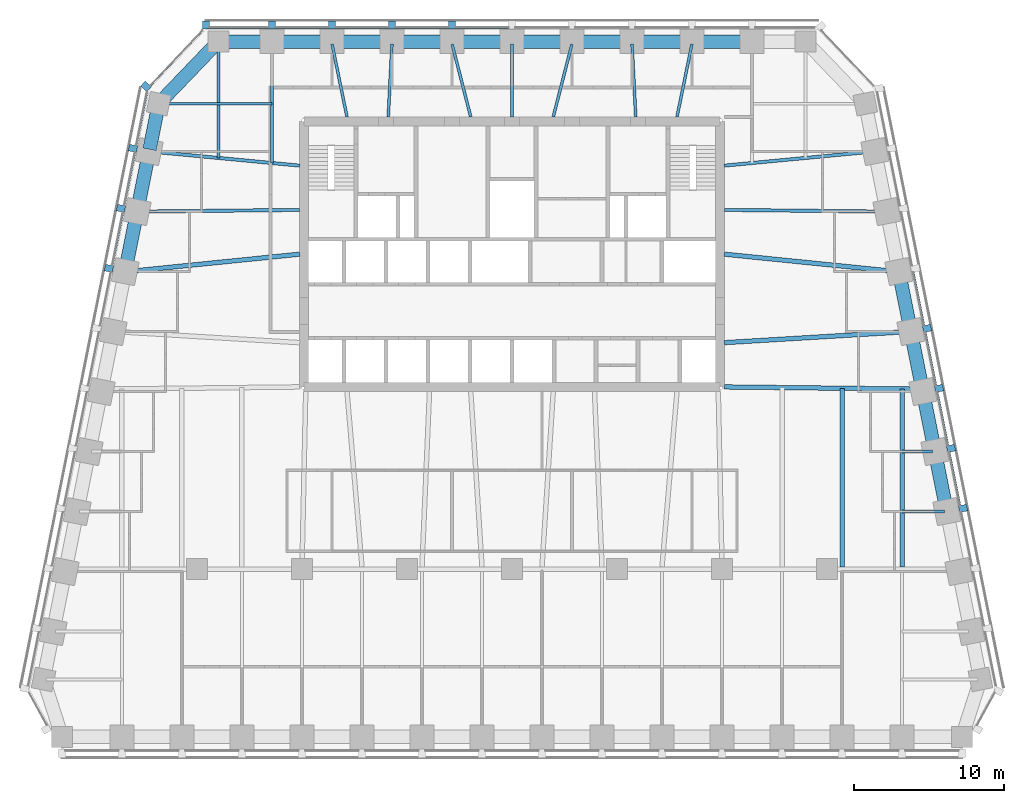
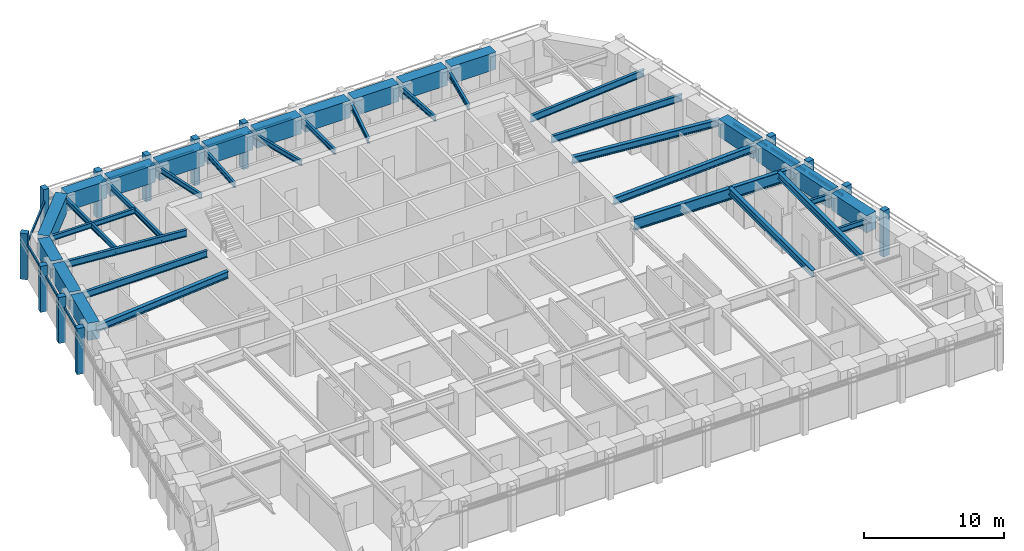
# One storey, part 3 of 11: 39 beams, 26 members, 4 elements without a shape of their own.
"""IFC4 building model written with IfcOpenShell, lengths in metres."""

from ifc_helpers import new_model, si_unit, direction, frame, origin, origin_2d, place, context, subcontext, project, spatial, rectangle, i_section, extrude, material, material_profile, profile_set, type_object, element, aggregate, save


model = new_model("IFC4")

# Units and contexts
model_context = context("Model", 3, precision=1e-05, world=origin(), true_north=direction((0.0, 1.0)))
body_context = subcontext(model_context, "Body", "Model", "MODEL_VIEW")
ifc_project = project(units=[si_unit("LENGTHUNIT", "METRE"), si_unit("AREAUNIT", "SQUARE_METRE"), si_unit("VOLUMEUNIT", "CUBIC_METRE"), si_unit("PLANEANGLEUNIT", "RADIAN"), si_unit("MASSUNIT", "GRAM", prefix="KILO")], contexts=[model_context])

# Site, building, storey
site_placement = place(None, origin())
site = spatial("IfcSite", under=ifc_project, at=site_placement, CompositionType="ELEMENT")
building_placement = place(site_placement, origin())
building = spatial("IfcBuilding", under=site, at=building_placement, Name="Isbrekke Arena Tower", CompositionType="ELEMENT")
storey_placement = place(building_placement, frame((0.0, 0.0, 206.0)))
storey = spatial("IfcBuildingStorey", under=building, at=storey_placement, Name="L47", CompositionType="ELEMENT", Elevation=206.0)

# Beams
ifc_material_1 = material(Name="Steel S355", Category="steel")
ifc_material_profile_1 = material_profile(ifc_material_1, i_section(OverallWidth=0.219970703125, OverallDepth=0.60009765625, WebThickness=0.011962890625, FlangeThickness=0.01904296875, FilletRadius=0.02392578125, at=origin_2d()), Name="IPE 600")
ifc_profile_set_1 = profile_set([ifc_material_profile_1], Name="Steel S355")
beam_type_1 = type_object("IfcBeamType", Name="B1 IPE 600", PredefinedType="BEAM", material=ifc_profile_set_1)
beam_1_placement = place(storey_placement, frame((24.83984375, 17.838134765625, 3.550048828125), z_axis=(-0.999945299061, 0.010459392202, 0.0), x_axis=(-0.010459392202, -0.999945299061, 0.0)))
element("IfcBeam", 1, at=beam_1_placement, inside=storey, type_object=beam_type_1, Name="B1 beam E-E09 L47", PredefinedType="BEAM", context=body_context, shape_type="SweptSolid", body=[
    extrude(i_section(OverallWidth=0.219970703125, OverallDepth=0.60009765625, WebThickness=0.011962890625, FlangeThickness=0.01904296875, FilletRadius=0.02392578125, at=origin_2d()), origin(), (0.0, 0.0, 1.0), 10.6904296875),
])
for number, where, z_axis, x_axis, name in (
    (2, (24.03076171875, 21.837158203125, 3.550048828125), (-0.99553133081, -0.094431823952, 0.0), (0.094431823952, -0.99553133081, 0.0), "B1 beam E-E10 L47"),
    (3, (-24.03076171875, 21.837158203125, 3.550048828125), (0.99553133081, -0.094431823952, 0.0), (0.094431823952, 0.99553133081, 0.0), "B1 beam E-W02 L47"),
):
    element("IfcBeam", number, at=place(storey_placement, frame(where, z_axis=z_axis, x_axis=x_axis)), inside=storey, type_object=beam_type_1, Name=name, PredefinedType="BEAM", context=body_context, shape_type="SweptSolid", body=[
        extrude(i_section(OverallWidth=0.219970703125, OverallDepth=0.60009765625, WebThickness=0.011962890625, FlangeThickness=0.01904296875, FilletRadius=0.02392578125, at=origin_2d()), origin(), (0.0, 0.0, 1.0), 9.92529296875),
    ])
beam_2_placement = place(storey_placement, frame((-24.83984375, 17.838134765625, 3.550048828125), z_axis=(0.999945299061, 0.010459392202, 0.0), x_axis=(-0.010459392202, 0.999945299061, 0.0)))
element("IfcBeam", 4, at=beam_2_placement, inside=storey, type_object=beam_type_1, Name="B1 beam E-W03 L47", PredefinedType="BEAM", context=body_context, shape_type="SweptSolid", body=[
    extrude(i_section(OverallWidth=0.219970703125, OverallDepth=0.60009765625, WebThickness=0.011962890625, FlangeThickness=0.01904296875, FilletRadius=0.02392578125, at=origin_2d()), origin(), (0.0, 0.0, 1.0), 10.6904296875),
])
ifc_material_2 = material(Name="Steel S355", Category="steel")
ifc_material_profile_2 = material_profile(ifc_material_2, i_section(OverallWidth=0.18994140625, OverallDepth=0.449951171875, WebThickness=0.009521484375, FlangeThickness=0.0146484375, FilletRadius=0.02099609375, at=origin_2d()), Name="IPE 450")
ifc_profile_set_2 = profile_set([ifc_material_profile_2], Name="Steel S355")
beam_type_2 = type_object("IfcBeamType", Name="B2 IPE 450", PredefinedType="BEAM", material=ifc_profile_set_2)
beam_3_placement = place(storey_placement, frame((28.841064453125, -2.161865234375, 3.625), z_axis=(-1.0, 0.0, 0.0), x_axis=(0.0, -1.0, 0.0)))
element("IfcBeam", 5, at=beam_3_placement, inside=storey, type_object=beam_type_2, Name="B2 beam E-E04 L47", PredefinedType="BEAM", context=body_context, shape_type="SweptSolid", body=[
    extrude(i_section(OverallWidth=0.18994140625, OverallDepth=0.449951171875, WebThickness=0.009521484375, FlangeThickness=0.0146484375, FilletRadius=0.02099609375, at=origin_2d()), origin(), (0.0, 0.0, 1.0), 2.841064453125),
])
beam_4_placement = place(storey_placement, frame((28.041015625, 1.838134765625, 3.625), z_axis=(-1.0, 0.0, 0.0), x_axis=(0.0, -1.0, 0.0)))
element("IfcBeam", 6, at=beam_4_placement, inside=storey, type_object=beam_type_2, Name="B2 beam E-E05 L47", PredefinedType="BEAM", context=body_context, shape_type="SweptSolid", body=[
    extrude(i_section(OverallWidth=0.18994140625, OverallDepth=0.449951171875, WebThickness=0.009521484375, FlangeThickness=0.0146484375, FilletRadius=0.02099609375, at=origin_2d()), origin(), (0.0, 0.0, 1.0), 2.041015625),
])
beam_5_placement = place(storey_placement, frame((-23.40283203125, 25.029296875, 3.625), z_axis=(1.0, 0.0, 0.0), x_axis=(0.0, 1.0, 0.0)))
element("IfcBeam", 7, at=beam_5_placement, inside=storey, type_object=beam_type_2, Name="B2 beam E-W01 L47", PredefinedType="BEAM", context=body_context, shape_type="SweptSolid", body=[
    extrude(i_section(OverallWidth=0.18994140625, OverallDepth=0.449951171875, WebThickness=0.009521484375, FlangeThickness=0.0146484375, FilletRadius=0.02099609375, at=origin_2d()), origin(), (0.0, 0.0, 1.0), 7.40283203125),
])
ifc_material_3 = material(Name="Steel S355", Category="steel")
ifc_material_profile_3 = material_profile(ifc_material_3, i_section(OverallWidth=0.18994140625, OverallDepth=0.449951171875, WebThickness=0.009521484375, FlangeThickness=0.0146484375, FilletRadius=0.02099609375, at=origin_2d()), Name="IPE 450")
ifc_profile_set_3 = profile_set([ifc_material_profile_3], Name="Steel S355")
beam_type_3 = type_object("IfcBeamType", Name="B3 IPE 450", PredefinedType="BEAM", material=ifc_profile_set_3)
beam_6_placement = place(storey_placement, frame((-16.0, 29.02490234375, 3.625), z_axis=(0.0, -1.0, 0.0), x_axis=(1.0, 0.0, 0.0)))
element("IfcBeam", 8, at=beam_6_placement, inside=storey, type_object=beam_type_3, Name="B3 beam N-N10 L47", PredefinedType="BEAM", context=body_context, shape_type="SweptSolid", body=[
    extrude(i_section(OverallWidth=0.18994140625, OverallDepth=0.449951171875, WebThickness=0.009521484375, FlangeThickness=0.0146484375, FilletRadius=0.02099609375, at=origin_2d()), origin(), (0.0, 0.0, 1.0), 7.949462890625),
])
beam_7_placement = place(storey_placement, frame((-19.574951171875, 29.02490234375, 3.625), z_axis=(0.0, -1.0, 0.0), x_axis=(1.0, 0.0, 0.0)))
element("IfcBeam", 9, at=beam_7_placement, inside=storey, type_object=beam_type_3, Name="B3 beam N-N11 L47", PredefinedType="BEAM", context=body_context, shape_type="SweptSolid", body=[
    extrude(i_section(OverallWidth=0.18994140625, OverallDepth=0.449951171875, WebThickness=0.009521484375, FlangeThickness=0.0146484375, FilletRadius=0.02099609375, at=origin_2d()), origin(), (0.0, 0.0, 1.0), 7.6103515625),
])
beam_8_placement = place(storey_placement, frame((11.99609375, 29.00634765625, 3.625), z_axis=(-0.200924755878, -0.979606677435, 0.0), x_axis=(0.979606677435, -0.200924755878, 0.0)))
element("IfcBeam", 10, at=beam_8_placement, inside=storey, type_object=beam_type_3, Name="B3 beam N-N03 L47", PredefinedType="BEAM", context=body_context, shape_type="SweptSolid", body=[
    extrude(i_section(OverallWidth=0.18994140625, OverallDepth=0.449951171875, WebThickness=0.009521484375, FlangeThickness=0.0146484375, FilletRadius=0.02099609375, at=origin_2d()), origin(), (0.0, 0.0, 1.0), 4.95751953125),
])
beam_9_placement = place(storey_placement, frame((8.000244140625, 29.02001953125, 3.625), z_axis=(0.051216032312, -0.998687597817, 0.0), x_axis=(0.998687597817, 0.051216032312, 0.0)))
element("IfcBeam", 11, at=beam_9_placement, inside=storey, type_object=beam_type_3, Name="B3 beam N-N04 L47", PredefinedType="BEAM", context=body_context, shape_type="SweptSolid", body=[
    extrude(i_section(OverallWidth=0.18994140625, OverallDepth=0.449951171875, WebThickness=0.009521484375, FlangeThickness=0.0146484375, FilletRadius=0.02099609375, at=origin_2d()), origin(), (0.0, 0.0, 1.0), 4.87646484375),
])
beam_10_placement = place(storey_placement, frame((3.994140625, 29.002197265625, 3.625), z_axis=(-0.248368314686, -0.968665670012, 0.0), x_axis=(0.968665670012, -0.248368314686, 0.0)))
element("IfcBeam", 12, at=beam_10_placement, inside=storey, type_object=beam_type_3, Name="B3 beam N-N05 L47", PredefinedType="BEAM", context=body_context, shape_type="SweptSolid", body=[
    extrude(i_section(OverallWidth=0.18994140625, OverallDepth=0.449951171875, WebThickness=0.009521484375, FlangeThickness=0.0146484375, FilletRadius=0.02099609375, at=origin_2d()), origin(), (0.0, 0.0, 1.0), 5.00927734375),
])
beam_11_placement = place(storey_placement, frame((0.0, 29.02490234375, 3.625), z_axis=(0.0, -1.0, 0.0), x_axis=(1.0, 0.0, 0.0)))
element("IfcBeam", 13, at=beam_11_placement, inside=storey, type_object=beam_type_3, Name="B3 beam N-N06 L47", PredefinedType="BEAM", context=body_context, shape_type="SweptSolid", body=[
    extrude(i_section(OverallWidth=0.18994140625, OverallDepth=0.449951171875, WebThickness=0.009521484375, FlangeThickness=0.0146484375, FilletRadius=0.02099609375, at=origin_2d()), origin(), (0.0, 0.0, 1.0), 4.875),
])
beam_12_placement = place(storey_placement, frame((-3.994140625, 29.002197265625, 3.625), z_axis=(0.248368314686, -0.968665670012, 0.0), x_axis=(0.968665670012, 0.248368314686, 0.0)))
element("IfcBeam", 14, at=beam_12_placement, inside=storey, type_object=beam_type_3, Name="B3 beam N-N07 L47", PredefinedType="BEAM", context=body_context, shape_type="SweptSolid", body=[
    extrude(i_section(OverallWidth=0.18994140625, OverallDepth=0.449951171875, WebThickness=0.009521484375, FlangeThickness=0.0146484375, FilletRadius=0.02099609375, at=origin_2d()), origin(), (0.0, 0.0, 1.0), 5.00927734375),
])
beam_13_placement = place(storey_placement, frame((-8.000244140625, 29.02001953125, 3.625), z_axis=(-0.051216032312, -0.998687597817, 0.0), x_axis=(0.998687597817, -0.051216032312, 0.0)))
element("IfcBeam", 15, at=beam_13_placement, inside=storey, type_object=beam_type_3, Name="B3 beam N-N08 L47", PredefinedType="BEAM", context=body_context, shape_type="SweptSolid", body=[
    extrude(i_section(OverallWidth=0.18994140625, OverallDepth=0.449951171875, WebThickness=0.009521484375, FlangeThickness=0.0146484375, FilletRadius=0.02099609375, at=origin_2d()), origin(), (0.0, 0.0, 1.0), 4.87646484375),
])
beam_14_placement = place(storey_placement, frame((-11.99609375, 29.00634765625, 3.625), z_axis=(0.200924755878, -0.979606677435, 0.0), x_axis=(0.979606677435, 0.200924755878, 0.0)))
element("IfcBeam", 16, at=beam_14_placement, inside=storey, type_object=beam_type_3, Name="B3 beam N-N09 L47", PredefinedType="BEAM", context=body_context, shape_type="SweptSolid", body=[
    extrude(i_section(OverallWidth=0.18994140625, OverallDepth=0.449951171875, WebThickness=0.009521484375, FlangeThickness=0.0146484375, FilletRadius=0.02099609375, at=origin_2d()), origin(), (0.0, 0.0, 1.0), 4.95751953125),
])
ifc_material_4 = material(Name="Steel S355", Category="steel")
ifc_material_profile_4 = material_profile(ifc_material_4, i_section(OverallWidth=0.300048828125, OverallDepth=0.60009765625, WebThickness=0.015380859375, FlangeThickness=0.030029296875, FilletRadius=0.027099609375, at=origin_2d()), Name="HEB 600")
ifc_profile_set_4 = profile_set([ifc_material_profile_4], Name="Steel S355")
beam_type_4 = type_object("IfcBeamType", Name="B7 HEB 600", PredefinedType="BEAM", material=ifc_profile_set_4)
beam_15_placement = place(storey_placement, frame((22.0, -5.84912109375, 3.550048828125), z_axis=(0.0, 1.0, 0.0), x_axis=(-1.0, 0.0, 0.0)))
element("IfcBeam", 17, at=beam_15_placement, inside=storey, type_object=beam_type_4, Name="B7 beam C-M13 L47", PredefinedType="BEAM", context=body_context, shape_type="SweptSolid", body=[
    extrude(i_section(OverallWidth=0.300048828125, OverallDepth=0.60009765625, WebThickness=0.015380859375, FlangeThickness=0.030029296875, FilletRadius=0.027099609375, at=origin_2d()), origin(), (0.0, 0.0, 1.0), 11.91015625),
])
beam_16_placement = place(storey_placement, frame((26.0, -5.84912109375, 3.550048828125), z_axis=(0.0, 1.0, 0.0), x_axis=(-1.0, 0.0, 0.0)))
element("IfcBeam", 18, at=beam_16_placement, inside=storey, type_object=beam_type_4, Name="B7 beam C-M14 L47", PredefinedType="BEAM", context=body_context, shape_type="SweptSolid", body=[
    extrude(i_section(OverallWidth=0.300048828125, OverallDepth=0.60009765625, WebThickness=0.015380859375, FlangeThickness=0.030029296875, FilletRadius=0.027099609375, at=origin_2d()), origin(), (0.0, 0.0, 1.0), 11.864990234375),
])
beam_17_placement = place(storey_placement, frame((26.43212890625, 9.837646484375, 3.550048828125), z_axis=(-0.998201854902, -0.059942112659, 0.0), x_axis=(0.059942112659, -0.998201854902, 0.0)))
element("IfcBeam", 19, at=beam_17_placement, inside=storey, type_object=beam_type_4, Name="B7 beam E-E07 L47", PredefinedType="BEAM", context=body_context, shape_type="SweptSolid", body=[
    extrude(i_section(OverallWidth=0.300048828125, OverallDepth=0.60009765625, WebThickness=0.015380859375, FlangeThickness=0.030029296875, FilletRadius=0.027099609375, at=origin_2d()), origin(), (0.0, 0.0, 1.0), 12.304443359375),
])
for number, where, z_axis, x_axis, name in (
    (20, (25.6259765625, 13.83984375, 3.550048828125), (-0.994928891111, 0.100580821396, 0.0), (-0.100580821396, -0.994928891111, 0.0), "B7 beam E-E08 L47"),
    (21, (-25.6259765625, 13.83984375, 3.550048828125), (0.994928891111, 0.100580821396, 0.0), (-0.100580821396, 0.994928891111, 0.0), "B7 beam E-W04 L47"),
):
    element("IfcBeam", number, at=place(storey_placement, frame(where, z_axis=z_axis, x_axis=x_axis)), inside=storey, type_object=beam_type_4, Name=name, PredefinedType="BEAM", context=body_context, shape_type="SweptSolid", body=[
        extrude(i_section(OverallWidth=0.300048828125, OverallDepth=0.60009765625, WebThickness=0.015380859375, FlangeThickness=0.030029296875, FilletRadius=0.027099609375, at=origin_2d()), origin(), (0.0, 0.0, 1.0), 11.53466796875),
    ])

# Curtain wall, members
ifc_material_5 = material(Name="Glazed aluminium curtain wall", Category="aluminium")
curtain_wall_type = type_object("IfcCurtainWallType", Name="CWH TOWER CURTAIN WALL HIGH ZONE", PredefinedType="USERDEFINED", material=ifc_material_5)
curtain_wall_1_placement = place(storey_placement, origin())
curtain_wall_1 = element("IfcCurtainWall", 22, at=curtain_wall_1_placement, inside=storey, type_object=curtain_wall_type, Name="CWH curtain wall L47-E", ObjectType="TOWER CURTAIN WALL HIGH ZONE", PredefinedType="USERDEFINED")
ifc_material_6 = material(Name="Aluminium mullion, pale brick slip cladding", Category="masonry")
ifc_material_profile_5 = material_profile(ifc_material_6, rectangle(XDim=0.449951171875, YDim=0.550048828125, at=origin_2d()), Name="PIER 450X550")
ifc_profile_set_5 = profile_set([ifc_material_profile_5], Name="Aluminium mullion, pale brick slip cladding")
member_type_1 = type_object("IfcMemberType", Name="CWH-M PIER MULLION 450 x 550", PredefinedType="MULLION", material=ifc_profile_set_5)
member_1_placement = place(storey_placement, frame((30.069580078125, -1.946044921875, 0.0), z_axis=(0.0, 0.0, 1.0), x_axis=(-0.196116135138, 0.980580675691, 0.0)))
member_1 = element("IfcMember", 23, at=member_1_placement, type_object=member_type_1, Name="CWH-M mullion 3", PredefinedType="MULLION", context=body_context, shape_type="SweptSolid", body=[
    extrude(rectangle(XDim=0.449951171875, YDim=0.550048828125, at=origin_2d()), origin(), (0.0, 0.0, 1.0), 4.0),
])
member_2_placement = place(storey_placement, frame((29.269775390625, 2.053955078125, 0.0), z_axis=(0.0, 0.0, 1.0), x_axis=(-0.196116135138, 0.980580675691, 0.0)))
member_2 = element("IfcMember", 24, at=member_2_placement, type_object=member_type_1, Name="CWH-M mullion 4", PredefinedType="MULLION", context=body_context, shape_type="SweptSolid", body=[
    extrude(rectangle(XDim=0.449951171875, YDim=0.550048828125, at=origin_2d()), origin(), (0.0, 0.0, 1.0), 4.0),
])
member_3_placement = place(storey_placement, frame((28.4697265625, 6.053955078125, 0.0), z_axis=(0.0, 0.0, 1.0), x_axis=(-0.196116135138, 0.980580675691, 0.0)))
member_3 = element("IfcMember", 25, at=member_3_placement, type_object=member_type_1, Name="CWH-M mullion 5", PredefinedType="MULLION", context=body_context, shape_type="SweptSolid", body=[
    extrude(rectangle(XDim=0.449951171875, YDim=0.550048828125, at=origin_2d()), origin(), (0.0, 0.0, 1.0), 4.0),
])
member_4_placement = place(storey_placement, frame((27.669677734375, 10.053955078125, 0.0), z_axis=(0.0, 0.0, 1.0), x_axis=(-0.196116135138, 0.980580675691, 0.0)))
member_4 = element("IfcMember", 26, at=member_4_placement, type_object=member_type_1, Name="CWH-M mullion 6", PredefinedType="MULLION", context=body_context, shape_type="SweptSolid", body=[
    extrude(rectangle(XDim=0.449951171875, YDim=0.550048828125, at=origin_2d()), origin(), (0.0, 0.0, 1.0), 4.0),
])

curtain_wall_2_placement = place(storey_placement, origin())
curtain_wall_2 = element("IfcCurtainWall", 27, at=curtain_wall_2_placement, inside=storey, type_object=curtain_wall_type, Name="CWH curtain wall L47-N", ObjectType="TOWER CURTAIN WALL HIGH ZONE", PredefinedType="USERDEFINED")
member_5_placement = place(storey_placement, frame((-4.0, 30.27490234375, 0.0), z_axis=(0.0, 0.0, 1.0), x_axis=(-1.0, 0.0, 0.0)))
member_5 = element("IfcMember", 28, at=member_5_placement, type_object=member_type_1, Name="CWH-M mullion 6", PredefinedType="MULLION", context=body_context, shape_type="SweptSolid", body=[
    extrude(rectangle(XDim=0.449951171875, YDim=0.550048828125, at=origin_2d()), origin(), (0.0, 0.0, 1.0), 4.0),
])
member_6_placement = place(storey_placement, frame((-8.0, 30.27490234375, 0.0), z_axis=(0.0, 0.0, 1.0), x_axis=(-1.0, 0.0, 0.0)))
member_6 = element("IfcMember", 29, at=member_6_placement, type_object=member_type_1, Name="CWH-M mullion 7", PredefinedType="MULLION", context=body_context, shape_type="SweptSolid", body=[
    extrude(rectangle(XDim=0.449951171875, YDim=0.550048828125, at=origin_2d()), origin(), (0.0, 0.0, 1.0), 4.0),
])
member_7_placement = place(storey_placement, frame((-12.0, 30.27490234375, 0.0), z_axis=(0.0, 0.0, 1.0), x_axis=(-1.0, 0.0, 0.0)))
member_7 = element("IfcMember", 30, at=member_7_placement, type_object=member_type_1, Name="CWH-M mullion 8", PredefinedType="MULLION", context=body_context, shape_type="SweptSolid", body=[
    extrude(rectangle(XDim=0.449951171875, YDim=0.550048828125, at=origin_2d()), origin(), (0.0, 0.0, 1.0), 4.0),
])
member_8_placement = place(storey_placement, frame((-16.0, 30.27490234375, 0.0), z_axis=(0.0, 0.0, 1.0), x_axis=(-1.0, 0.0, 0.0)))
member_8 = element("IfcMember", 31, at=member_8_placement, type_object=member_type_1, Name="CWH-M mullion 9", PredefinedType="MULLION", context=body_context, shape_type="SweptSolid", body=[
    extrude(rectangle(XDim=0.449951171875, YDim=0.550048828125, at=origin_2d()), origin(), (0.0, 0.0, 1.0), 4.0),
])
member_9_placement = place(storey_placement, frame((-20.39990234375, 30.27490234375, 0.0), z_axis=(0.0, 0.0, 1.0), x_axis=(-1.0, 0.0, 0.0)))
member_9 = element("IfcMember", 32, at=member_9_placement, type_object=member_type_1, Name="CWH-M mullion 10", PredefinedType="MULLION", context=body_context, shape_type="SweptSolid", body=[
    extrude(rectangle(XDim=0.449951171875, YDim=0.550048828125, at=origin_2d()), origin(), (0.0, 0.0, 1.0), 4.0),
])

# Curtain wall, member
curtain_wall_3_placement = place(storey_placement, origin())
curtain_wall_3 = element("IfcCurtainWall", 33, at=curtain_wall_3_placement, inside=storey, type_object=curtain_wall_type, Name="CWH curtain wall L47-NW", ObjectType="TOWER CURTAIN WALL HIGH ZONE", PredefinedType="USERDEFINED")
member_10_placement = place(storey_placement, frame((-24.3994140625, 26.189453125, 0.0), z_axis=(0.0, 0.0, 1.0), x_axis=(-0.68874946192, -0.72499943359, 0.0)))
member_10 = element("IfcMember", 34, at=member_10_placement, type_object=member_type_1, Name="CWH-M mullion 1", PredefinedType="MULLION", context=body_context, shape_type="SweptSolid", body=[
    extrude(rectangle(XDim=0.449951171875, YDim=0.550048828125, at=origin_2d()), origin(), (0.0, 0.0, 1.0), 4.0),
])

# Curtain wall, members
curtain_wall_4_placement = place(storey_placement, origin())
curtain_wall_4 = element("IfcCurtainWall", 35, at=curtain_wall_4_placement, inside=storey, type_object=curtain_wall_type, Name="CWH curtain wall L47-W", ObjectType="TOWER CURTAIN WALL HIGH ZONE", PredefinedType="USERDEFINED")
member_11_placement = place(storey_placement, frame((-25.269775390625, 22.053955078125, 0.0), z_axis=(0.0, 0.0, 1.0), x_axis=(-0.196116135138, -0.980580675691, 0.0)))
member_11 = element("IfcMember", 36, at=member_11_placement, type_object=member_type_1, Name="CWH-M mullion 1", PredefinedType="MULLION", context=body_context, shape_type="SweptSolid", body=[
    extrude(rectangle(XDim=0.449951171875, YDim=0.550048828125, at=origin_2d()), origin(), (0.0, 0.0, 1.0), 4.0),
])
member_12_placement = place(storey_placement, frame((-26.069580078125, 18.053955078125, 0.0), z_axis=(0.0, 0.0, 1.0), x_axis=(-0.196116135138, -0.980580675691, 0.0)))
member_12 = element("IfcMember", 37, at=member_12_placement, type_object=member_type_1, Name="CWH-M mullion 2", PredefinedType="MULLION", context=body_context, shape_type="SweptSolid", body=[
    extrude(rectangle(XDim=0.449951171875, YDim=0.550048828125, at=origin_2d()), origin(), (0.0, 0.0, 1.0), 4.0),
])
member_13_placement = place(storey_placement, frame((-26.86962890625, 14.053955078125, 0.0), z_axis=(0.0, 0.0, 1.0), x_axis=(-0.196116135138, -0.980580675691, 0.0)))
member_13 = element("IfcMember", 38, at=member_13_placement, type_object=member_type_1, Name="CWH-M mullion 3", PredefinedType="MULLION", context=body_context, shape_type="SweptSolid", body=[
    extrude(rectangle(XDim=0.449951171875, YDim=0.550048828125, at=origin_2d()), origin(), (0.0, 0.0, 1.0), 4.0),
])

# Member
ifc_material_7 = material(Name="Aluminium transom", Category="aluminium")
ifc_material_profile_6 = material_profile(ifc_material_7, rectangle(XDim=0.1201171875, YDim=0.199951171875, at=origin_2d()), Name="TRANSOM 120X200")
ifc_profile_set_6 = profile_set([ifc_material_profile_6], Name="Aluminium transom")
member_type_2 = type_object("IfcMemberType", Name="CWH-T TRANSOM 120 x 200", PredefinedType="USERDEFINED", material=ifc_profile_set_6)
member_14_placement = place(storey_placement, frame((29.85400390625, -1.759765625, 3.0), z_axis=(-0.196154943734, 0.980572913173, 0.0), x_axis=(-0.980572913173, -0.196154943734, 0.0)))
member_14 = element("IfcMember", 39, at=member_14_placement, type_object=member_type_2, Name="CWH-T transom 4", ObjectType="TRANSOM", PredefinedType="USERDEFINED", context=body_context, shape_type="SweptSolid", body=[
    extrude(rectangle(XDim=0.1201171875, YDim=0.199951171875, at=origin_2d()), origin(), (0.0, 0.0, 1.0), 3.62939453125),
])

member_15_placement = place(storey_placement, frame((29.053955078125, 2.240234375, 3.0), z_axis=(-0.196090262229, 0.980585849918, 0.0), x_axis=(-0.980585849918, -0.196090262229, 0.0)))
member_15 = element("IfcMember", 40, at=member_15_placement, type_object=member_type_2, Name="CWH-T transom 5", ObjectType="TRANSOM", PredefinedType="USERDEFINED", context=body_context, shape_type="SweptSolid", body=[
    extrude(rectangle(XDim=0.1201171875, YDim=0.199951171875, at=origin_2d()), origin(), (0.0, 0.0, 1.0), 3.62939453125),
])

member_16_placement = place(storey_placement, frame((28.25390625, 6.240234375, 3.0), z_axis=(-0.196090262229, 0.980585849918, 0.0), x_axis=(-0.980585849918, -0.196090262229, 0.0)))
member_16 = element("IfcMember", 41, at=member_16_placement, type_object=member_type_2, Name="CWH-T transom 6", ObjectType="TRANSOM", PredefinedType="USERDEFINED", context=body_context, shape_type="SweptSolid", body=[
    extrude(rectangle(XDim=0.1201171875, YDim=0.199951171875, at=origin_2d()), origin(), (0.0, 0.0, 1.0), 3.62939453125),
])

member_17_placement = place(storey_placement, frame((27.453857421875, 10.240234375, 3.0), z_axis=(-0.196090262229, 0.980585849918, 0.0), x_axis=(-0.980585849918, -0.196090262229, 0.0)))
member_17 = element("IfcMember", 42, at=member_17_placement, type_object=member_type_2, Name="CWH-T transom 7", ObjectType="TRANSOM", PredefinedType="USERDEFINED", context=body_context, shape_type="SweptSolid", body=[
    extrude(rectangle(XDim=0.1201171875, YDim=0.199951171875, at=origin_2d()), origin(), (0.0, 0.0, 1.0), 3.62939453125),
])

aggregate(curtain_wall_1, [member_1, member_2, member_3, member_4, member_14, member_15, member_16, member_17])

member_18_placement = place(storey_placement, frame((-0.22509765625, 30.10009765625, 3.0), z_axis=(-1.0, 0.0, 0.0), x_axis=(0.0, -1.0, 0.0)))
member_18 = element("IfcMember", 43, at=member_18_placement, type_object=member_type_2, Name="CWH-T transom 6", ObjectType="TRANSOM", PredefinedType="USERDEFINED", context=body_context, shape_type="SweptSolid", body=[
    extrude(rectangle(XDim=0.1201171875, YDim=0.199951171875, at=origin_2d()), origin(), (0.0, 0.0, 1.0), 3.5498046875),
])

member_19_placement = place(storey_placement, frame((-4.22509765625, 30.10009765625, 3.0), z_axis=(-1.0, 0.0, 0.0), x_axis=(0.0, -1.0, 0.0)))
member_19 = element("IfcMember", 44, at=member_19_placement, type_object=member_type_2, Name="CWH-T transom 7", ObjectType="TRANSOM", PredefinedType="USERDEFINED", context=body_context, shape_type="SweptSolid", body=[
    extrude(rectangle(XDim=0.1201171875, YDim=0.199951171875, at=origin_2d()), origin(), (0.0, 0.0, 1.0), 3.5498046875),
])

member_20_placement = place(storey_placement, frame((-8.22509765625, 30.10009765625, 3.0), z_axis=(-1.0, 0.0, 0.0), x_axis=(0.0, -1.0, 0.0)))
member_20 = element("IfcMember", 45, at=member_20_placement, type_object=member_type_2, Name="CWH-T transom 8", ObjectType="TRANSOM", PredefinedType="USERDEFINED", context=body_context, shape_type="SweptSolid", body=[
    extrude(rectangle(XDim=0.1201171875, YDim=0.199951171875, at=origin_2d()), origin(), (0.0, 0.0, 1.0), 3.5498046875),
])

member_21_placement = place(storey_placement, frame((-12.22509765625, 30.10009765625, 3.0), z_axis=(-1.0, 0.0, 0.0), x_axis=(0.0, -1.0, 0.0)))
member_21 = element("IfcMember", 46, at=member_21_placement, type_object=member_type_2, Name="CWH-T transom 9", ObjectType="TRANSOM", PredefinedType="USERDEFINED", context=body_context, shape_type="SweptSolid", body=[
    extrude(rectangle(XDim=0.1201171875, YDim=0.199951171875, at=origin_2d()), origin(), (0.0, 0.0, 1.0), 3.5498046875),
])

member_22_placement = place(storey_placement, frame((-16.22509765625, 30.10009765625, 3.0), z_axis=(-1.0, 0.0, 0.0), x_axis=(0.0, -1.0, 0.0)))
member_22 = element("IfcMember", 47, at=member_22_placement, type_object=member_type_2, Name="CWH-T transom 10", ObjectType="TRANSOM", PredefinedType="USERDEFINED", context=body_context, shape_type="SweptSolid", body=[
    extrude(rectangle(XDim=0.1201171875, YDim=0.199951171875, at=origin_2d()), origin(), (0.0, 0.0, 1.0), 3.949951171875),
])

aggregate(curtain_wall_2, [member_5, member_6, member_7, member_8, member_9, member_18, member_19, member_20, member_21, member_22])

member_23_placement = place(storey_placement, frame((-20.62744140625, 29.90576171875, 3.0), z_axis=(-0.688734266994, -0.725013868466, 0.0), x_axis=(0.725013868466, -0.688734266994, 0.0)))
member_23 = element("IfcMember", 48, at=member_23_placement, type_object=member_type_2, Name="CWH-T transom 1", ObjectType="TRANSOM", PredefinedType="USERDEFINED", context=body_context, shape_type="SweptSolid", body=[
    extrude(rectangle(XDim=0.1201171875, YDim=0.199951171875, at=origin_2d()), origin(), (0.0, 0.0, 1.0), 5.067138671875),
])

aggregate(curtain_wall_3, [member_10, member_23])

member_24_placement = place(storey_placement, frame((-24.34228515625, 25.799072265625, 3.0), z_axis=(-0.196090262229, -0.980585849918, 0.0), x_axis=(0.980585849918, -0.196090262229, 0.0)))
member_24 = element("IfcMember", 49, at=member_24_placement, type_object=member_type_2, Name="CWH-T transom 1", ObjectType="TRANSOM", PredefinedType="USERDEFINED", context=body_context, shape_type="SweptSolid", body=[
    extrude(rectangle(XDim=0.1201171875, YDim=0.199951171875, at=origin_2d()), origin(), (0.0, 0.0, 1.0), 3.62939453125),
])

member_25_placement = place(storey_placement, frame((-25.14208984375, 21.799072265625, 3.0), z_axis=(-0.196154943734, -0.980572913173, 0.0), x_axis=(0.980572913173, -0.196154943734, 0.0)))
member_25 = element("IfcMember", 50, at=member_25_placement, type_object=member_type_2, Name="CWH-T transom 2", ObjectType="TRANSOM", PredefinedType="USERDEFINED", context=body_context, shape_type="SweptSolid", body=[
    extrude(rectangle(XDim=0.1201171875, YDim=0.199951171875, at=origin_2d()), origin(), (0.0, 0.0, 1.0), 3.62939453125),
])

member_26_placement = place(storey_placement, frame((-25.942138671875, 17.799072265625, 3.0), z_axis=(-0.196154943734, -0.980572913173, 0.0), x_axis=(0.980572913173, -0.196154943734, 0.0)))
member_26 = element("IfcMember", 51, at=member_26_placement, type_object=member_type_2, Name="CWH-T transom 3", ObjectType="TRANSOM", PredefinedType="USERDEFINED", context=body_context, shape_type="SweptSolid", body=[
    extrude(rectangle(XDim=0.1201171875, YDim=0.199951171875, at=origin_2d()), origin(), (0.0, 0.0, 1.0), 3.62939453125),
])

aggregate(curtain_wall_4, [member_11, member_12, member_13, member_24, member_25, member_26])

# Beams
ifc_material_8 = material(Name="Steel S355", Category="steel")
ifc_material_profile_7 = material_profile(ifc_material_8, i_section(OverallWidth=0.302001953125, OverallDepth=1.008056640625, WebThickness=0.02099609375, FlangeThickness=0.0400390625, FilletRadius=0.030029296875, at=origin_2d()), Name="HEM 1000")
ifc_profile_set_7 = profile_set([ifc_material_profile_7], Name="Steel S355")
beam_type_5 = type_object("IfcBeamType", Name="G2 HEM 1000", PredefinedType="BEAM", material=ifc_profile_set_7)
beam_18_placement = place(storey_placement, frame((14.14990234375, 6.14990234375, 3.345947265625), z_axis=(0.999935908299, -0.011321629528, 0.0), x_axis=(0.011321629528, 0.999935908299, 0.0)))
element("IfcBeam", 52, at=beam_18_placement, inside=storey, type_object=beam_type_5, Name="G2 beam G2-E L47", PredefinedType="BEAM", context=body_context, shape_type="SweptSolid", body=[
    extrude(i_section(OverallWidth=0.302001953125, OverallDepth=1.008056640625, WebThickness=0.02099609375, FlangeThickness=0.0400390625, FilletRadius=0.030029296875, at=origin_2d()), origin(), (0.0, 0.0, 1.0), 13.240234375),
])
ifc_material_9 = material(Name="Concrete B65 (C65/80)", Category="concrete")
ifc_material_profile_8 = material_profile(ifc_material_9, rectangle(XDim=0.89990234375, YDim=1.5, at=origin_2d()), Name="RC 900x1500")
ifc_profile_set_8 = profile_set([ifc_material_profile_8], Name="Concrete B65 (C65/80)")
beam_type_6 = type_object("IfcBeamType", Name="SB3 RC 900 x 1500", PredefinedType="SPANDREL", material=ifc_profile_set_8)
for number, where, z_axis, x_axis, name in (
    (53, (28.961669921875, -2.0146484375, 3.25), (-0.196128558387, 0.980578190959, 0.0), (-0.980578190959, -0.196128558387, 0.0), "SB3 spandrel E04-E05 L47"),
    (54, (28.16162109375, 1.9853515625, 3.25), (-0.196128558387, 0.980578190959, 0.0), (-0.980578190959, -0.196128558387, 0.0), "SB3 spandrel E05-E06 L47"),
    (55, (27.361572265625, 5.9853515625, 3.25), (-0.196128558387, 0.980578190959, 0.0), (-0.980578190959, -0.196128558387, 0.0), "SB3 spandrel E06-E07 L47"),
):
    element("IfcBeam", number, at=place(storey_placement, frame(where, z_axis=z_axis, x_axis=x_axis)), inside=storey, type_object=beam_type_6, Name=name, PredefinedType="SPANDREL", context=body_context, shape_type="SweptSolid", body=[
        extrude(rectangle(XDim=0.89990234375, YDim=1.5, at=origin_2d()), origin(), (0.0, 0.0, 1.0), 3.779296875),
    ])
beam_19_placement = place(storey_placement, frame((26.5615234375, 9.9853515625, 3.25), z_axis=(-0.1960664412, 0.980590613169, 0.0), x_axis=(-0.980590613169, -0.1960664412, 0.0)))
element("IfcBeam", 56, at=beam_19_placement, inside=storey, type_object=beam_type_6, Name="SB3 spandrel E07-E08 L47", PredefinedType="SPANDREL", context=body_context, shape_type="SweptSolid", body=[
    extrude(rectangle(XDim=0.89990234375, YDim=1.5, at=origin_2d()), origin(), (0.0, 0.0, 1.0), 3.779052734375),
])
for number, where, z_axis, x_axis, name in (
    (57, (15.85009765625, 29.175048828125, 3.25), (-1.0, 0.0, 0.0), (0.0, -1.0, 0.0), "SB3 spandrel N02-N03 L47"),
    (58, (11.85009765625, 29.175048828125, 3.25), (-1.0, 0.0, 0.0), (0.0, -1.0, 0.0), "SB3 spandrel N03-N04 L47"),
    (59, (7.85009765625, 29.175048828125, 3.25), (-1.0, 0.0, 0.0), (0.0, -1.0, 0.0), "SB3 spandrel N04-N05 L47"),
    (60, (3.85009765625, 29.175048828125, 3.25), (-1.0, 0.0, 0.0), (0.0, -1.0, 0.0), "SB3 spandrel N05-N06 L47"),
    (61, (-0.14990234375, 29.175048828125, 3.25), (-1.0, 0.0, 0.0), (0.0, -1.0, 0.0), "SB3 spandrel N06-N07 L47"),
    (62, (-4.14990234375, 29.175048828125, 3.25), (-1.0, 0.0, 0.0), (0.0, -1.0, 0.0), "SB3 spandrel N07-N08 L47"),
    (63, (-8.14990234375, 29.175048828125, 3.25), (-1.0, 0.0, 0.0), (0.0, -1.0, 0.0), "SB3 spandrel N08-N09 L47"),
    (64, (-12.14990234375, 29.175048828125, 3.25), (-1.0, 0.0, 0.0), (0.0, -1.0, 0.0), "SB3 spandrel N09-N10 L47"),
):
    element("IfcBeam", number, at=place(storey_placement, frame(where, z_axis=z_axis, x_axis=x_axis)), inside=storey, type_object=beam_type_6, Name=name, PredefinedType="SPANDREL", context=body_context, shape_type="SweptSolid", body=[
        extrude(rectangle(XDim=0.89990234375, YDim=1.5, at=origin_2d()), origin(), (0.0, 0.0, 1.0), 3.7001953125),
    ])
beam_20_placement = place(storey_placement, frame((-16.14990234375, 29.175048828125, 3.25), z_axis=(-1.0, 0.0, 0.0), x_axis=(0.0, -1.0, 0.0)))
element("IfcBeam", 65, at=beam_20_placement, inside=storey, type_object=beam_type_6, Name="SB3 spandrel N10-N11 L47", PredefinedType="SPANDREL", context=body_context, shape_type="SweptSolid", body=[
    extrude(rectangle(XDim=0.89990234375, YDim=1.5, at=origin_2d()), origin(), (0.0, 0.0, 1.0), 3.275146484375),
])
beam_21_placement = place(storey_placement, frame((-19.678955078125, 29.066650390625, 3.25), z_axis=(-0.692339547635, -0.721571861134, 0.0), x_axis=(0.721571861134, -0.692339547635, 0.0)))
element("IfcBeam", 66, at=beam_21_placement, inside=storey, type_object=beam_type_6, Name="SB3 spandrel N11-W01 L47", PredefinedType="SPANDREL", context=body_context, shape_type="SweptSolid", body=[
    extrude(rectangle(XDim=0.89990234375, YDim=1.5, at=origin_2d()), origin(), (0.0, 0.0, 1.0), 5.4453125),
])
beam_22_placement = place(storey_placement, frame((-23.582275390625, 24.882080078125, 3.25), z_axis=(-0.196116135138, -0.980580675691, 0.0), x_axis=(0.980580675691, -0.196116135138, 0.0)))
element("IfcBeam", 67, at=beam_22_placement, inside=storey, type_object=beam_type_6, Name="SB3 spandrel W01-W02 L47", PredefinedType="SPANDREL", context=body_context, shape_type="SweptSolid", body=[
    extrude(rectangle(XDim=0.89990234375, YDim=1.5, at=origin_2d()), origin(), (0.0, 0.0, 1.0), 2.9541015625),
])
for number, where, z_axis, x_axis, name in (
    (68, (-24.220458984375, 21.691162109375, 3.25), (-0.196128558387, -0.980578190959, 0.0), (0.980578190959, -0.196128558387, 0.0), "SB3 spandrel W02-W03 L47"),
    (69, (-25.0205078125, 17.691162109375, 3.25), (-0.196128558387, -0.980578190959, 0.0), (0.980578190959, -0.196128558387, 0.0), "SB3 spandrel W03-W04 L47"),
):
    element("IfcBeam", number, at=place(storey_placement, frame(where, z_axis=z_axis, x_axis=x_axis)), inside=storey, type_object=beam_type_6, Name=name, PredefinedType="SPANDREL", context=body_context, shape_type="SweptSolid", body=[
        extrude(rectangle(XDim=0.89990234375, YDim=1.5, at=origin_2d()), origin(), (0.0, 0.0, 1.0), 3.779296875),
    ])

save(model, "model.ifc")
